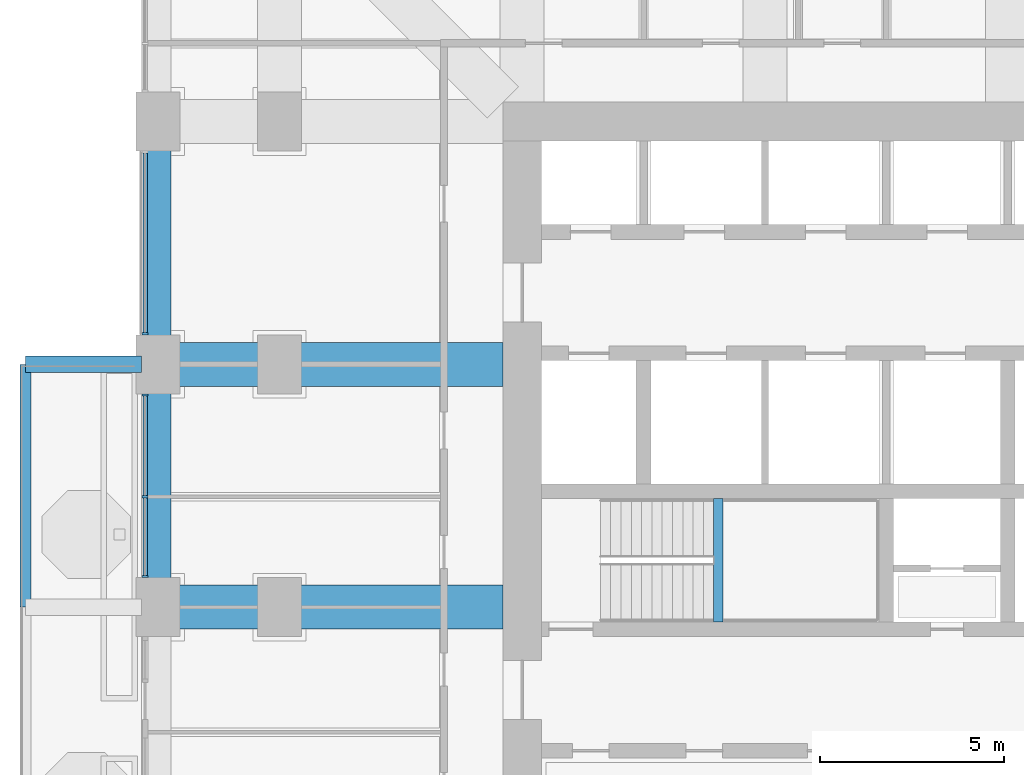
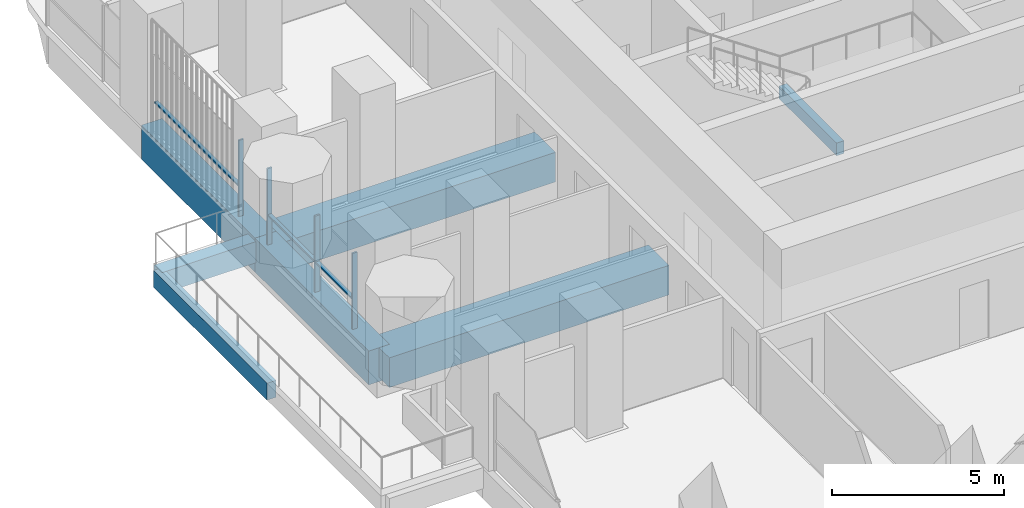
# One storey, part 4 of 20: 7 beams, 7 members, 2 elements without a shape of their own.
"""IFC4 building model written with IfcOpenShell, lengths in metres."""

from ifc_helpers import new_model, si_unit, direction, frame, origin, origin_2d, place, context, subcontext, project, spatial, rectangle, extrude, material, material_profile, profile_set, type_object, element, aggregate, save


model = new_model("IFC4")

# Units and contexts
model_context = context("Model", 3, precision=1e-05, world=origin(), true_north=direction((0.0, 1.0)))
body_context = subcontext(model_context, "Body", "Model", "MODEL_VIEW")
ifc_project = project(units=[si_unit("LENGTHUNIT", "METRE"), si_unit("AREAUNIT", "SQUARE_METRE"), si_unit("VOLUMEUNIT", "CUBIC_METRE"), si_unit("PLANEANGLEUNIT", "RADIAN"), si_unit("MASSUNIT", "GRAM", prefix="KILO")], contexts=[model_context])

# Site, building, storey
site_placement = place(None, origin())
site = spatial("IfcSite", under=ifc_project, at=site_placement, CompositionType="ELEMENT")
building_placement = place(site_placement, origin())
building = spatial("IfcBuilding", under=site, at=building_placement, Name="Cobogo Forest Laboratory Tower", CompositionType="ELEMENT")
storey_placement = place(building_placement, frame((0.0, 0.0, 176.699951171875)))
storey = spatial("IfcBuildingStorey", under=building, at=storey_placement, Name="L40", CompositionType="ELEMENT", Elevation=176.699951171875)

# Beams
ifc_material_1 = material(Name="Concrete HA-40 (C40/50)", Category="concrete")
ifc_material_profile_1 = material_profile(ifc_material_1, rectangle(XDim=0.449951171875, YDim=0.75, at=origin_2d()), Name="RC 450x750")
ifc_profile_set_1 = profile_set([ifc_material_profile_1], Name="Concrete HA-40 (C40/50)")
beam_type_1 = type_object("IfcBeamType", Name="Balcony cantilever beam 450x750", PredefinedType="BEAM", material=ifc_profile_set_1)
beam_1_placement = place(storey_placement, frame((2.85009765625, 26.39990234375, -0.625), z_axis=(-1.0, 0.0, 0.0), x_axis=(0.0, -1.0, 0.0)))
element("IfcBeam", 1, at=beam_1_placement, inside=storey, type_object=beam_type_1, Name="CB1 BAL-W1-C3 L40", PredefinedType="BEAM", context=body_context, shape_type="SweptSolid", body=[
    extrude(rectangle(XDim=0.449951171875, YDim=0.75, at=origin_2d()), origin(), (0.0, 0.0, 1.0), 3.150146484375),
])
ifc_material_profile_2 = material_profile(ifc_material_1, rectangle(XDim=0.300048828125, YDim=0.60009765625, at=origin_2d()), Name="RC 300x600")
ifc_profile_set_2 = profile_set([ifc_material_profile_2], Name="Concrete HA-40 (C40/50)")
beam_type_2 = type_object("IfcBeamType", Name="Balcony edge beam 300x600", PredefinedType="BEAM", material=ifc_profile_set_2)
beam_2_placement = place(storey_placement, frame((-0.300048828125, 19.800048828125, -0.550048828125), z_axis=(0.0, 1.0, 0.0), x_axis=(-1.0, 0.0, 0.0)))
element("IfcBeam", 2, at=beam_2_placement, inside=storey, type_object=beam_type_2, Name="BB1 BAL-W1-T2 L40", PredefinedType="BEAM", context=body_context, shape_type="SweptSolid", body=[
    extrude(rectangle(XDim=0.300048828125, YDim=0.60009765625, at=origin_2d()), origin(), (0.0, 0.0, 1.0), 6.599853515625),
])
ifc_material_profile_3 = material_profile(ifc_material_1, rectangle(XDim=0.25, YDim=0.449951171875, at=origin_2d()), Name="RC 250x450")
ifc_profile_set_3 = profile_set([ifc_material_profile_3], Name="Concrete HA-40 (C40/50)")
beam_type_3 = type_object("IfcBeamType", Name="LB1 landing beam 250x450", PredefinedType="BEAM", material=ifc_profile_set_3)
beam_3_placement = place(storey_placement, frame((18.530029296875, 19.39990234375, 1.675048828125), z_axis=(0.0, 1.0, 0.0), x_axis=(-1.0, 0.0, 0.0)))
element("IfcBeam", 3, at=beam_3_placement, inside=storey, type_object=beam_type_3, Name="Landing beam ST1 L40", PredefinedType="BEAM", context=body_context, shape_type="SweptSolid", body=[
    extrude(rectangle(XDim=0.25, YDim=0.449951171875, at=origin_2d()), origin(), (0.0, 0.0, 1.0), 3.35009765625),
])
ifc_material_profile_4 = material_profile(ifc_material_1, rectangle(XDim=1.199951171875, YDim=1.050048828125, at=origin_2d()), Name="RC 1200x1050")
ifc_profile_set_4 = profile_set([ifc_material_profile_4], Name="Concrete HA-40 (C40/50)")
beam_type_4 = type_object("IfcBeamType", Name="Laboratory floor wide beam 1200x1050", PredefinedType="BEAM", material=ifc_profile_set_4)
for number, where, z_axis, x_axis, name in (
    (4, (12.675048828125, 19.800048828125, -0.824951171875), (-1.0, 0.0, 0.0), (0.0, -1.0, 0.0), "RB1 R-D-W L40"),
    (5, (12.675048828125, 26.39990234375, -0.824951171875), (-1.0, 0.0, 0.0), (0.0, -1.0, 0.0), "RB1 R-E-W L40"),
):
    element("IfcBeam", number, at=place(storey_placement, frame(where, z_axis=z_axis, x_axis=x_axis)), inside=storey, type_object=beam_type_4, Name=name, PredefinedType="BEAM", context=body_context, shape_type="SweptSolid", body=[
        extrude(rectangle(XDim=1.199951171875, YDim=1.050048828125, at=origin_2d()), origin(), (0.0, 0.0, 1.0), 9.375),
    ])

# Curtain wall, member
ifc_material_2 = material(Name="Aluminium curtain wall", Category="aluminium")
curtain_wall_type = type_object("IfcCurtainWallType", Name="CW-2 unitised curtain wall, solar control glazing, laboratory floors zones C and D", PredefinedType="USERDEFINED", material=ifc_material_2)
curtain_wall_1_placement = place(storey_placement, origin())
curtain_wall_1 = element("IfcCurtainWall", 6, at=curtain_wall_1_placement, inside=storey, type_object=curtain_wall_type, Name="Curtain wall 25 L40", ObjectType="UNITISED CURTAIN WALL", PredefinedType="USERDEFINED")
ifc_material_3 = material(Name="Aluminium mullion", Category="aluminium")
ifc_material_profile_5 = material_profile(ifc_material_3, rectangle(XDim=0.06005859375, YDim=0.159912109375, at=origin_2d()), Name="AL 60x160")
ifc_profile_set_5 = profile_set([ifc_material_profile_5], Name="Aluminium mullion")
member_type_1 = type_object("IfcMemberType", Name="MU-1 aluminium mullion 60x160", PredefinedType="MULLION", material=ifc_profile_set_5)
member_1_placement = place(storey_placement, frame((2.949951171875, 27.22998046875, 0.0), z_axis=(0.0, 0.0, 1.0), x_axis=(0.0, -1.0, 0.0)))
member_1 = element("IfcMember", 7, at=member_1_placement, type_object=member_type_1, Name="CW-2 mullion 2", PredefinedType="MULLION", context=body_context, shape_type="SweptSolid", body=[
    extrude(rectangle(XDim=0.06005859375, YDim=0.159912109375, at=origin_2d()), origin(), (0.0, 0.0, 1.0), 2.699951171875),
])

# Curtain wall, members
curtain_wall_2_placement = place(storey_placement, origin())
curtain_wall_2 = element("IfcCurtainWall", 8, at=curtain_wall_2_placement, inside=storey, type_object=curtain_wall_type, Name="Curtain wall 26 L40", ObjectType="UNITISED CURTAIN WALL", PredefinedType="USERDEFINED")
member_2_placement = place(storey_placement, frame((2.949951171875, 25.570068359375, 0.0), z_axis=(0.0, 0.0, 1.0), x_axis=(0.0, -1.0, 0.0)))
member_2 = element("IfcMember", 9, at=member_2_placement, type_object=member_type_1, Name="CW-2 mullion 1", PredefinedType="MULLION", context=body_context, shape_type="SweptSolid", body=[
    extrude(rectangle(XDim=0.06005859375, YDim=0.159912109375, at=origin_2d()), origin(), (0.0, 0.0, 1.0), 2.699951171875),
])
member_3_placement = place(storey_placement, frame((2.949951171875, 22.800048828125, 0.0), z_axis=(0.0, 0.0, 1.0), x_axis=(0.0, -1.0, 0.0)))
member_3 = element("IfcMember", 10, at=member_3_placement, type_object=member_type_1, Name="CW-2 mullion 2", PredefinedType="MULLION", context=body_context, shape_type="SweptSolid", body=[
    extrude(rectangle(XDim=0.06005859375, YDim=0.159912109375, at=origin_2d()), origin(), (0.0, 0.0, 1.0), 2.699951171875),
])
member_4_placement = place(storey_placement, frame((2.949951171875, 20.6298828125, 0.0), z_axis=(0.0, 0.0, 1.0), x_axis=(0.0, -1.0, 0.0)))
member_4 = element("IfcMember", 11, at=member_4_placement, type_object=member_type_1, Name="CW-2 mullion 3", PredefinedType="MULLION", context=body_context, shape_type="SweptSolid", body=[
    extrude(rectangle(XDim=0.06005859375, YDim=0.159912109375, at=origin_2d()), origin(), (0.0, 0.0, 1.0), 2.699951171875),
])

# Beams
ifc_material_profile_6 = material_profile(ifc_material_1, rectangle(XDim=0.699951171875, YDim=1.199951171875, at=origin_2d()), Name="RC 700x1200")
ifc_profile_set_6 = profile_set([ifc_material_profile_6], Name="Concrete HA-40 (C40/50)")
beam_type_5 = type_object("IfcBeamType", Name="Perimeter edge beam 700x1200", PredefinedType="BEAM", material=ifc_profile_set_6)
beam_4_placement = place(storey_placement, frame((3.300048828125, 19.800048828125, -0.89990234375), z_axis=(0.0, 1.0, 0.0), x_axis=(-1.0, 0.0, 0.0)))
element("IfcBeam", 12, at=beam_4_placement, inside=storey, type_object=beam_type_5, Name="EB1 E-W2 L40", PredefinedType="BEAM", context=body_context, shape_type="SweptSolid", body=[
    extrude(rectangle(XDim=0.699951171875, YDim=1.199951171875, at=origin_2d()), origin(), (0.0, 0.0, 1.0), 6.599853515625),
])
beam_5_placement = place(storey_placement, frame((3.300048828125, 26.39990234375, -0.89990234375), z_axis=(0.0, 1.0, 0.0), x_axis=(-1.0, 0.0, 0.0)))
element("IfcBeam", 13, at=beam_5_placement, inside=storey, type_object=beam_type_5, Name="EB1 E-W3 L40", PredefinedType="BEAM", context=body_context, shape_type="SweptSolid", body=[
    extrude(rectangle(XDim=0.699951171875, YDim=1.199951171875, at=origin_2d()), origin(), (0.0, 0.0, 1.0), 6.60009765625),
])

# Member
ifc_material_4 = material(Name="Aluminium transom", Category="aluminium")
ifc_material_profile_7 = material_profile(ifc_material_4, rectangle(XDim=0.1201171875, YDim=0.06005859375, at=origin_2d()), Name="AL 60x120")
ifc_profile_set_7 = profile_set([ifc_material_profile_7], Name="Aluminium transom")
member_type_2 = type_object("IfcMemberType", Name="TR-1 aluminium transom 60x120", PredefinedType="USERDEFINED", material=ifc_profile_set_7)
member_5_placement = place(storey_placement, frame((2.949951171875, 32.139892578125, 1.050048828125), z_axis=(0.0, -1.0, 0.0), x_axis=(1.0, 0.0, 0.0)))
member_5 = element("IfcMember", 14, at=member_5_placement, type_object=member_type_2, Name="CW-2 transom 1.1", ObjectType="TRANSOM", PredefinedType="USERDEFINED", context=body_context, shape_type="SweptSolid", body=[
    extrude(rectangle(XDim=0.1201171875, YDim=0.06005859375, at=origin_2d()), origin(), (0.0, 0.0, 1.0), 4.8798828125),
])

aggregate(curtain_wall_1, [member_1, member_5])

member_6_placement = place(storey_placement, frame((2.949951171875, 25.5400390625, 1.050048828125), z_axis=(0.0, -1.0, 0.0), x_axis=(1.0, 0.0, 0.0)))
member_6 = element("IfcMember", 15, at=member_6_placement, type_object=member_type_2, Name="CW-2 transom 1.1", ObjectType="TRANSOM", PredefinedType="USERDEFINED", context=body_context, shape_type="SweptSolid", body=[
    extrude(rectangle(XDim=0.1201171875, YDim=0.06005859375, at=origin_2d()), origin(), (0.0, 0.0, 1.0), 2.7099609375),
])

member_7_placement = place(storey_placement, frame((2.949951171875, 22.77001953125, 1.050048828125), z_axis=(0.0, -1.0, 0.0), x_axis=(1.0, 0.0, 0.0)))
member_7 = element("IfcMember", 16, at=member_7_placement, type_object=member_type_2, Name="CW-2 transom 2.1", ObjectType="TRANSOM", PredefinedType="USERDEFINED", context=body_context, shape_type="SweptSolid", body=[
    extrude(rectangle(XDim=0.1201171875, YDim=0.06005859375, at=origin_2d()), origin(), (0.0, 0.0, 1.0), 2.110107421875),
])

aggregate(curtain_wall_2, [member_2, member_3, member_4, member_6, member_7])

save(model, "model.ifc")
